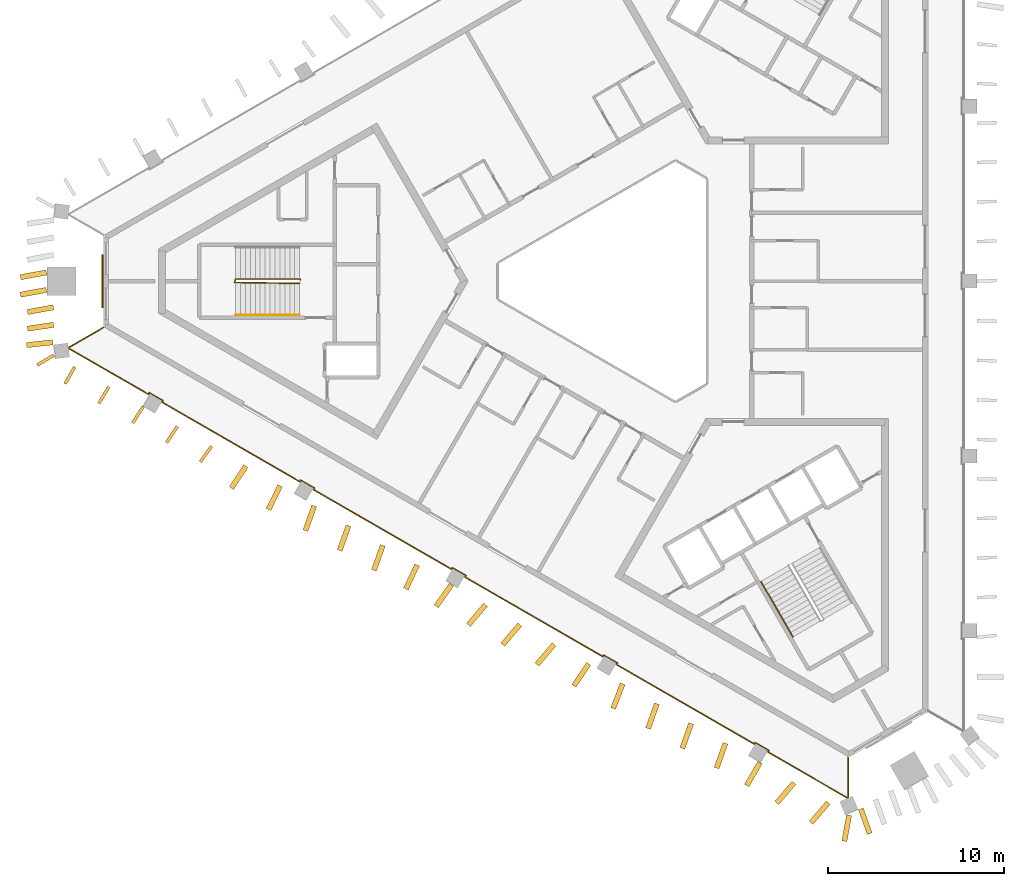
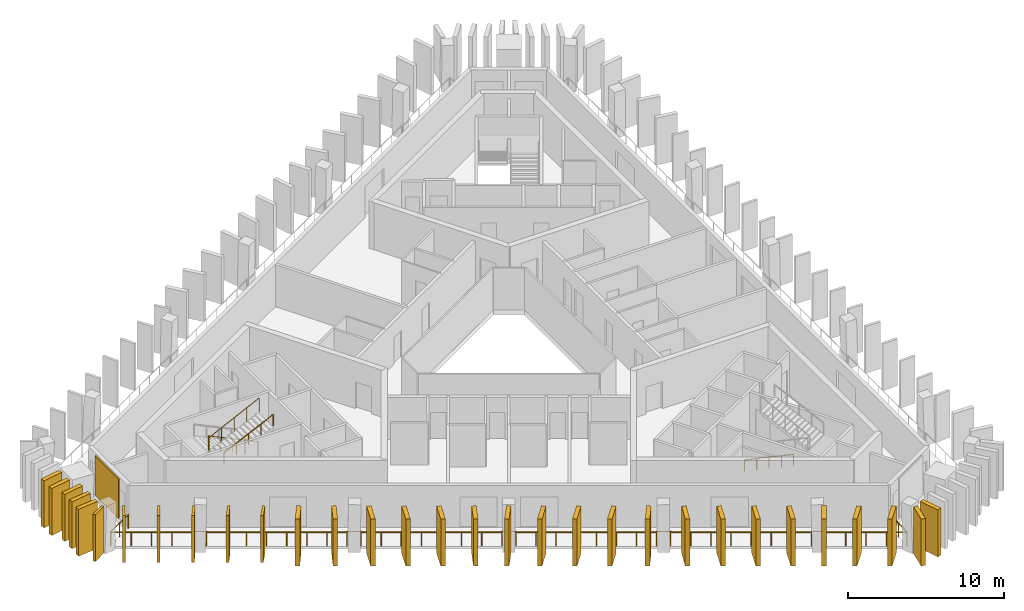
# One storey, part 7 of 10: 31 shading devices, 4 railings, 1 covering.
"""IFC4 building model written with IfcOpenShell, lengths in metres."""

from ifc_helpers import new_model, si_unit, direction, frame, frame_2d, origin, origin_2d, place, context, subcontext, project, spatial, rectangle, circle, extrude, material, layer, layer_set, type_object, element, save


model = new_model("IFC4")

# Units and contexts
model_context = context("Model", 3, precision=1e-05, world=origin(), true_north=direction((0.0, 1.0)))
body_context = subcontext(model_context, "Body", "Model", "MODEL_VIEW")
ifc_project = project(units=[si_unit("LENGTHUNIT", "METRE"), si_unit("AREAUNIT", "SQUARE_METRE"), si_unit("VOLUMEUNIT", "CUBIC_METRE"), si_unit("PLANEANGLEUNIT", "RADIAN"), si_unit("MASSUNIT", "GRAM", prefix="KILO")], contexts=[model_context])

# Site, building, storey
site_placement = place(None, origin())
site = spatial("IfcSite", under=ifc_project, at=site_placement, CompositionType="ELEMENT")
building_placement = place(site_placement, origin())
building = spatial("IfcBuilding", under=site, at=building_placement, Name="Jabali Bay Hotel Tower and Convention Centre", CompositionType="ELEMENT")
storey_placement = place(building_placement, frame((0.0, 0.0, 255.300048828125)))
storey = spatial("IfcBuildingStorey", under=building, at=storey_placement, Name="L62", CompositionType="ELEMENT", Elevation=255.300048828125)

# Railing
ifc_material_1 = material(Name="Glass", Category="glass")
railing_type_1 = type_object("IfcRailingType", Name="Loggia glass guard 1100", PredefinedType="BALUSTRADE", material=ifc_material_1)
railing_1_placement = place(storey_placement, frame((87.582763671875, 52.930419921875, 0.0)))
element("IfcRailing", 1, at=railing_1_placement, inside=storey, type_object=railing_type_1, Name="Loggia glass guard L62", PredefinedType="BALUSTRADE", context=body_context, shape_type="SweptSolid", body=[
    extrude(circle(Radius=0.02490234375, at=origin_2d()), frame((0.0, 0.0, 1.0751953125), z_axis=(0.0, -1.0, 0.0), x_axis=(0.991444861374, 0.0, 0.13052619222)), (0.0, 0.0, 1.0), 2.274658203125),
    extrude(circle(Radius=0.02490234375, at=origin_2d()), frame((0.0, -2.274658203125, 1.0751953125), z_axis=(-0.920154635629, -0.391555164097, 0.0), x_axis=(0.388205355389, -0.912282585163, 0.13052619222)), (0.0, 0.0, 1.0), 0.037353515625),
    extrude(circle(Radius=0.02490234375, at=origin_2d()), frame((-0.034423828125, -2.289306640625, 1.0751953125), z_axis=(-0.866022091585, 0.500005736855, 0.0), x_axis=(-0.495728118462, -0.858613152538, 0.13052619222)), (0.0, 0.0, 1.0), 5.22216796875),
    extrude(circle(Radius=0.02490234375, at=origin_2d()), frame((-4.556884765625, 0.32177734375, 1.0751953125), z_axis=(0.501132629342, 0.865370491644, 0.0), x_axis=(-0.857967127125, 0.496845370228, 0.13052619222)), (0.0, 0.0, 1.0), 0.099853515625),
    extrude(circle(Radius=0.02490234375, at=origin_2d()), frame((-4.5068359375, 0.408203125, 1.0751953125), z_axis=(-0.866081705922, 0.499902469156, 0.0), x_axis=(-0.495625734232, -0.858672256866, 0.13052619222)), (0.0, 0.0, 1.0), 0.900146484375),
    extrude(circle(Radius=0.02490234375, at=origin_2d()), frame((-5.286376953125, 0.858154296875, 1.0751953125), z_axis=(-0.499298623879, -0.866429964967, 0.0), x_axis=(0.859017536507, -0.495027054936, 0.13052619222)), (0.0, 0.0, 1.0), 0.099853515625),
    extrude(circle(Radius=0.02490234375, at=origin_2d()), frame((-5.336181640625, 0.771728515625, 1.0751953125), z_axis=(-0.86603353272, 0.499985920007, 0.0), x_axis=(-0.49570847115, -0.858624495792, 0.13052619222)), (0.0, 0.0, 1.0), 9.037353515625),
    extrude(circle(Radius=0.02490234375, at=origin_2d()), frame((-13.162841796875, 5.290283203125, 1.0751953125), z_axis=(0.500074377092, 0.865982457891, 0.0), x_axis=(-0.858573857916, 0.495796171473, 0.13052619222)), (0.0, 0.0, 1.0), 0.10009765625),
    extrude(circle(Radius=0.02490234375, at=origin_2d()), frame((-13.11279296875, 5.376953125, 1.0751953125), z_axis=(-0.866081705922, 0.499902469156, 0.0), x_axis=(-0.495625734232, -0.858672256866, 0.13052619222)), (0.0, 0.0, 1.0), 0.900146484375),
    extrude(circle(Radius=0.02490234375, at=origin_2d()), frame((-13.892333984375, 5.826904296875, 1.0751953125), z_axis=(-0.4982416694, -0.867038199201, 0.0), x_axis=(0.859620567213, -0.493979142849, 0.13052619222)), (0.0, 0.0, 1.0), 0.099853515625),
    extrude(circle(Radius=0.02490234375, at=origin_2d()), frame((-13.942138671875, 5.740234375, 1.0751953125), z_axis=(-0.866021835202, 0.500006180915, 0.0), x_axis=(-0.495728558723, -0.858612898349, 0.13052619222)), (0.0, 0.0, 1.0), 9.03759765625),
    extrude(circle(Radius=0.02490234375, at=origin_2d()), frame((-21.768798828125, 10.259033203125, 1.0751953125), z_axis=(0.501132629342, 0.865370491644, 0.0), x_axis=(-0.857967127125, 0.496845370228, 0.13052619222)), (0.0, 0.0, 1.0), 0.099853515625),
    extrude(circle(Radius=0.02490234375, at=origin_2d()), frame((-21.71875, 10.345458984375, 1.0751953125), z_axis=(-0.865964261186, 0.500105887137, 0.0), x_axis=(-0.495827411944, -0.858555816886, 0.13052619222)), (0.0, 0.0, 1.0), 0.900146484375),
    extrude(circle(Radius=0.02490234375, at=origin_2d()), frame((-22.498291015625, 10.795654296875, 1.0751953125), z_axis=(-0.4982416694, -0.867038199201, 0.0), x_axis=(0.859620567213, -0.493979142849, 0.13052619222)), (0.0, 0.0, 1.0), 0.099853515625),
    extrude(circle(Radius=0.02490234375, at=origin_2d()), frame((-22.548095703125, 10.708984375, 1.0751953125), z_axis=(-0.86603353272, 0.499985920007, 0.0), x_axis=(-0.49570847115, -0.858624495792, 0.13052619222)), (0.0, 0.0, 1.0), 9.037353515625),
    extrude(circle(Radius=0.02490234375, at=origin_2d()), frame((-30.374755859375, 15.2275390625, 1.0751953125), z_axis=(0.500074377092, 0.865982457891, 0.0), x_axis=(-0.858573857916, 0.495796171473, 0.13052619222)), (0.0, 0.0, 1.0), 0.10009765625),
    extrude(circle(Radius=0.02490234375, at=origin_2d()), frame((-30.32470703125, 15.314208984375, 1.0751953125), z_axis=(-0.866081705922, 0.499902469156, 0.0), x_axis=(-0.495625734232, -0.858672256866, 0.13052619222)), (0.0, 0.0, 1.0), 0.900146484375),
    extrude(circle(Radius=0.02490234375, at=origin_2d()), frame((-31.104248046875, 15.76416015625, 1.0751953125), z_axis=(-0.4982416694, -0.867038199201, 0.0), x_axis=(0.859620567213, -0.493979142849, 0.13052619222)), (0.0, 0.0, 1.0), 0.099853515625),
    extrude(circle(Radius=0.02490234375, at=origin_2d()), frame((-31.154052734375, 15.677490234375, 1.0751953125), z_axis=(-0.866021835202, 0.500006180915, 0.0), x_axis=(-0.495728558723, -0.858612898349, 0.13052619222)), (0.0, 0.0, 1.0), 9.03759765625),
    extrude(circle(Radius=0.02490234375, at=origin_2d()), frame((-38.980712890625, 20.1962890625, 1.0751953125), z_axis=(0.500074377092, 0.865982457891, 0.0), x_axis=(-0.858573857916, 0.495796171473, 0.13052619222)), (0.0, 0.0, 1.0), 0.10009765625),
    extrude(circle(Radius=0.02490234375, at=origin_2d()), frame((-38.9306640625, 20.282958984375, 1.0751953125), z_axis=(-0.866081705922, 0.499902469156, 0.0), x_axis=(-0.495625734232, -0.858672256866, 0.13052619222)), (0.0, 0.0, 1.0), 0.900146484375),
    extrude(circle(Radius=0.02490234375, at=origin_2d()), frame((-39.710205078125, 20.73291015625, 1.0751953125), z_axis=(-0.4982416694, -0.867038199201, 0.0), x_axis=(0.859620567213, -0.493979142849, 0.13052619222)), (0.0, 0.0, 1.0), 0.099853515625),
    extrude(circle(Radius=0.02490234375, at=origin_2d()), frame((-39.760009765625, 20.646240234375, 1.0751953125), z_axis=(-0.866022091585, 0.500005736855, 0.0), x_axis=(-0.495728118462, -0.858613152538, 0.13052619222)), (0.0, 0.0, 1.0), 5.22216796875),
    extrude(circle(Radius=0.02490234375, at=origin_2d()), frame((-44.282470703125, 23.25732421875, 1.0751953125), z_axis=(-0.124034734589, 0.992277876714, 0.0), x_axis=(-0.983788801923, -0.12297360024, 0.13052619222)), (0.0, 0.0, 1.0), 0.037353515625),
    extrude(circle(Radius=0.02490234375, at=origin_2d()), frame((-44.287109375, 23.29443359375, 1.0751953125), z_axis=(0.866008641419, 0.500029032144, 0.0), x_axis=(-0.495751214457, 0.85859981744, 0.13052619222)), (0.0, 0.0, 1.0), 2.274658203125),
    extrude(circle(Radius=0.02001953125, at=origin_2d()), origin(), (0.0, 0.0, 1.0), 1.050048828125),
    extrude(circle(Radius=0.02001953125, at=origin_2d()), frame((0.0, -1.13720703125, 0.0)), (0.0, 0.0, 1.0), 1.050048828125),
    extrude(circle(Radius=0.02001953125, at=origin_2d()), frame((0.0, -2.274658203125, 0.0)), (0.0, 0.0, 1.0), 1.050048828125),
    extrude(circle(Radius=0.02001953125, at=origin_2d()), frame((-0.034423828125, -2.289306640625, 0.0)), (0.0, 0.0, 1.0), 1.050048828125),
    extrude(circle(Radius=0.02001953125, at=origin_2d()), frame((-1.1650390625, -1.636474609375, 0.0)), (0.0, 0.0, 1.0), 1.050048828125),
    extrude(circle(Radius=0.02001953125, at=origin_2d()), frame((-2.295654296875, -0.98388671875, 0.0)), (0.0, 0.0, 1.0), 1.050048828125),
    extrude(circle(Radius=0.02001953125, at=origin_2d()), frame((-3.42626953125, -0.3310546875, 0.0)), (0.0, 0.0, 1.0), 1.050048828125),
    extrude(circle(Radius=0.02001953125, at=origin_2d()), frame((-4.556884765625, 0.32177734375, 0.0)), (0.0, 0.0, 1.0), 1.050048828125),
    extrude(circle(Radius=0.02001953125, at=origin_2d()), frame((-4.5068359375, 0.408203125, 0.0)), (0.0, 0.0, 1.0), 1.050048828125),
    extrude(circle(Radius=0.02001953125, at=origin_2d()), frame((-5.286376953125, 0.858154296875, 0.0)), (0.0, 0.0, 1.0), 1.050048828125),
    extrude(circle(Radius=0.02001953125, at=origin_2d()), frame((-5.336181640625, 0.771728515625, 0.0)), (0.0, 0.0, 1.0), 1.050048828125),
    extrude(circle(Radius=0.02001953125, at=origin_2d()), frame((-6.454345703125, 1.417236328125, 0.0)), (0.0, 0.0, 1.0), 1.050048828125),
    extrude(circle(Radius=0.02001953125, at=origin_2d()), frame((-7.572265625, 2.062744140625, 0.0)), (0.0, 0.0, 1.0), 1.050048828125),
    extrude(circle(Radius=0.02001953125, at=origin_2d()), frame((-8.6904296875, 2.708251953125, 0.0)), (0.0, 0.0, 1.0), 1.050048828125),
    extrude(circle(Radius=0.02001953125, at=origin_2d()), frame((-9.80859375, 3.353759765625, 0.0)), (0.0, 0.0, 1.0), 1.050048828125),
    extrude(circle(Radius=0.02001953125, at=origin_2d()), frame((-10.9267578125, 3.999267578125, 0.0)), (0.0, 0.0, 1.0), 1.050048828125),
    extrude(circle(Radius=0.02001953125, at=origin_2d()), frame((-12.044677734375, 4.644775390625, 0.0)), (0.0, 0.0, 1.0), 1.050048828125),
    extrude(circle(Radius=0.02001953125, at=origin_2d()), frame((-13.162841796875, 5.290283203125, 0.0)), (0.0, 0.0, 1.0), 1.050048828125),
    extrude(circle(Radius=0.02001953125, at=origin_2d()), frame((-13.11279296875, 5.376953125, 0.0)), (0.0, 0.0, 1.0), 1.050048828125),
    extrude(circle(Radius=0.02001953125, at=origin_2d()), frame((-13.892333984375, 5.826904296875, 0.0)), (0.0, 0.0, 1.0), 1.050048828125),
    extrude(circle(Radius=0.02001953125, at=origin_2d()), frame((-13.942138671875, 5.740234375, 0.0)), (0.0, 0.0, 1.0), 1.050048828125),
    extrude(circle(Radius=0.02001953125, at=origin_2d()), frame((-15.060302734375, 6.3857421875, 0.0)), (0.0, 0.0, 1.0), 1.050048828125),
    extrude(circle(Radius=0.02001953125, at=origin_2d()), frame((-16.17822265625, 7.03125, 0.0)), (0.0, 0.0, 1.0), 1.050048828125),
    extrude(circle(Radius=0.02001953125, at=origin_2d()), frame((-17.29638671875, 7.6767578125, 0.0)), (0.0, 0.0, 1.0), 1.050048828125),
    extrude(circle(Radius=0.02001953125, at=origin_2d()), frame((-18.41455078125, 8.322509765625, 0.0)), (0.0, 0.0, 1.0), 1.050048828125),
    extrude(circle(Radius=0.02001953125, at=origin_2d()), frame((-19.53271484375, 8.968017578125, 0.0)), (0.0, 0.0, 1.0), 1.050048828125),
    extrude(circle(Radius=0.02001953125, at=origin_2d()), frame((-20.650634765625, 9.613525390625, 0.0)), (0.0, 0.0, 1.0), 1.050048828125),
    extrude(circle(Radius=0.02001953125, at=origin_2d()), frame((-21.768798828125, 10.259033203125, 0.0)), (0.0, 0.0, 1.0), 1.050048828125),
    extrude(circle(Radius=0.02001953125, at=origin_2d()), frame((-21.71875, 10.345458984375, 0.0)), (0.0, 0.0, 1.0), 1.050048828125),
    extrude(circle(Radius=0.02001953125, at=origin_2d()), frame((-22.498291015625, 10.795654296875, 0.0)), (0.0, 0.0, 1.0), 1.050048828125),
    extrude(circle(Radius=0.02001953125, at=origin_2d()), frame((-22.548095703125, 10.708984375, 0.0)), (0.0, 0.0, 1.0), 1.050048828125),
    extrude(circle(Radius=0.02001953125, at=origin_2d()), frame((-23.666259765625, 11.3544921875, 0.0)), (0.0, 0.0, 1.0), 1.050048828125),
    extrude(circle(Radius=0.02001953125, at=origin_2d()), frame((-24.7841796875, 12.0, 0.0)), (0.0, 0.0, 1.0), 1.050048828125),
    extrude(circle(Radius=0.02001953125, at=origin_2d()), frame((-25.90234375, 12.6455078125, 0.0)), (0.0, 0.0, 1.0), 1.050048828125),
    extrude(circle(Radius=0.02001953125, at=origin_2d()), frame((-27.0205078125, 13.291015625, 0.0)), (0.0, 0.0, 1.0), 1.050048828125),
    extrude(circle(Radius=0.02001953125, at=origin_2d()), frame((-28.138671875, 13.9365234375, 0.0)), (0.0, 0.0, 1.0), 1.050048828125),
    extrude(circle(Radius=0.02001953125, at=origin_2d()), frame((-29.256591796875, 14.58203125, 0.0)), (0.0, 0.0, 1.0), 1.050048828125),
    extrude(circle(Radius=0.02001953125, at=origin_2d()), frame((-30.374755859375, 15.2275390625, 0.0)), (0.0, 0.0, 1.0), 1.050048828125),
    extrude(circle(Radius=0.02001953125, at=origin_2d()), frame((-30.32470703125, 15.314208984375, 0.0)), (0.0, 0.0, 1.0), 1.050048828125),
    extrude(circle(Radius=0.02001953125, at=origin_2d()), frame((-31.104248046875, 15.76416015625, 0.0)), (0.0, 0.0, 1.0), 1.050048828125),
    extrude(circle(Radius=0.02001953125, at=origin_2d()), frame((-31.154052734375, 15.677490234375, 0.0)), (0.0, 0.0, 1.0), 1.050048828125),
    extrude(circle(Radius=0.02001953125, at=origin_2d()), frame((-32.272216796875, 16.322998046875, 0.0)), (0.0, 0.0, 1.0), 1.050048828125),
    extrude(circle(Radius=0.02001953125, at=origin_2d()), frame((-33.39013671875, 16.968505859375, 0.0)), (0.0, 0.0, 1.0), 1.050048828125),
    extrude(circle(Radius=0.02001953125, at=origin_2d()), frame((-34.50830078125, 17.614013671875, 0.0)), (0.0, 0.0, 1.0), 1.050048828125),
    extrude(circle(Radius=0.02001953125, at=origin_2d()), frame((-35.62646484375, 18.259765625, 0.0)), (0.0, 0.0, 1.0), 1.050048828125),
    extrude(circle(Radius=0.02001953125, at=origin_2d()), frame((-36.74462890625, 18.9052734375, 0.0)), (0.0, 0.0, 1.0), 1.050048828125),
    extrude(circle(Radius=0.02001953125, at=origin_2d()), frame((-37.862548828125, 19.55078125, 0.0)), (0.0, 0.0, 1.0), 1.050048828125),
    extrude(circle(Radius=0.02001953125, at=origin_2d()), frame((-38.980712890625, 20.1962890625, 0.0)), (0.0, 0.0, 1.0), 1.050048828125),
    extrude(circle(Radius=0.02001953125, at=origin_2d()), frame((-38.9306640625, 20.282958984375, 0.0)), (0.0, 0.0, 1.0), 1.050048828125),
    extrude(circle(Radius=0.02001953125, at=origin_2d()), frame((-39.710205078125, 20.73291015625, 0.0)), (0.0, 0.0, 1.0), 1.050048828125),
    extrude(circle(Radius=0.02001953125, at=origin_2d()), frame((-39.760009765625, 20.646240234375, 0.0)), (0.0, 0.0, 1.0), 1.050048828125),
    extrude(circle(Radius=0.02001953125, at=origin_2d()), frame((-40.890625, 21.299072265625, 0.0)), (0.0, 0.0, 1.0), 1.050048828125),
    extrude(circle(Radius=0.02001953125, at=origin_2d()), frame((-42.021240234375, 21.95166015625, 0.0)), (0.0, 0.0, 1.0), 1.050048828125),
    extrude(circle(Radius=0.02001953125, at=origin_2d()), frame((-43.15185546875, 22.6044921875, 0.0)), (0.0, 0.0, 1.0), 1.050048828125),
    extrude(circle(Radius=0.02001953125, at=origin_2d()), frame((-44.282470703125, 23.25732421875, 0.0)), (0.0, 0.0, 1.0), 1.050048828125),
    extrude(circle(Radius=0.02001953125, at=origin_2d()), frame((-44.287109375, 23.29443359375, 0.0)), (0.0, 0.0, 1.0), 1.050048828125),
    extrude(circle(Radius=0.02001953125, at=origin_2d()), frame((-43.30224609375, 23.86328125, 0.0)), (0.0, 0.0, 1.0), 1.050048828125),
    extrude(circle(Radius=0.02001953125, at=origin_2d()), frame((-42.317138671875, 24.431884765625, 0.0)), (0.0, 0.0, 1.0), 1.050048828125),
])

# Shading devices
ifc_material_2 = material(Name="Precast concrete C60", Category="concrete")
ifc_layer_1 = layer(ifc_material_2, 0.179931640625)
ifc_layer_set_1 = layer_set([ifc_layer_1], Name="Precast concrete C60")
shading_device_type_1 = type_object("IfcShadingDeviceType", Name="Precast fin 3680 x 1100", PredefinedType="USERDEFINED", material=ifc_layer_set_1)
for number, where, z_axis, x_axis, name in (
    (2, (43.638671875, 75.125732421875, 0.010009765625), (0.0, 0.0, 1.0), (-0.494512685492, -0.869170411305, 0.0), "Fin L62 062"),
    (3, (45.58447265625, 74.0009765625, 0.010009765625), (0.0, 0.0, 1.0), (-0.515637794697, -0.856806667038, 0.0), "Fin L62 063"),
):
    element("IfcShadingDevice", number, at=place(storey_placement, frame(where, z_axis=z_axis, x_axis=x_axis)), inside=storey, type_object=shading_device_type_1, Name=name, ObjectType="FIN", PredefinedType="USERDEFINED", context=body_context, shape_type="SweptSolid", body=[
        extrude(rectangle(XDim=1.099853515625, YDim=0.179931640625, at=frame_2d((0.5498046875, 0.0))), origin(), (0.0, 0.0, 1.0), 3.679931640625),
    ])
for number, where, z_axis, x_axis, name in (
    (4, (47.52978515625, 72.875244140625, 0.010009765625), (0.0, 0.0, 1.0), (-0.537478442018, -0.843277489541, 0.0), "Fin L62 064"),
    (5, (49.47509765625, 71.74951171875, 0.010009765625), (0.0, 0.0, 1.0), (-0.558382243094, -0.829583793596, 0.0), "Fin L62 065"),
):
    element("IfcShadingDevice", number, at=place(storey_placement, frame(where, z_axis=z_axis, x_axis=x_axis)), inside=storey, type_object=shading_device_type_1, Name=name, ObjectType="FIN", PredefinedType="USERDEFINED", context=body_context, shape_type="SweptSolid", body=[
        extrude(rectangle(XDim=1.10009765625, YDim=0.179931640625, at=frame_2d((0.550048828125, 0.0))), origin(), (0.0, 0.0, 1.0), 3.679931640625),
    ])
shading_device_1_placement = place(storey_placement, frame((51.419677734375, 70.622802734375, 0.010009765625), z_axis=(0.0, 0.0, 1.0), x_axis=(-0.588646717653, -0.808390401845, 0.0)))
element("IfcShadingDevice", 6, at=shading_device_1_placement, inside=storey, type_object=shading_device_type_1, Name="Fin L62 066", ObjectType="FIN", PredefinedType="USERDEFINED", context=body_context, shape_type="SweptSolid", body=[
    extrude(rectangle(XDim=1.099853515625, YDim=0.179931640625, at=frame_2d((0.5498046875, 0.0))), origin(), (0.0, 0.0, 1.0), 3.679931640625),
])
shading_device_2_placement = place(storey_placement, frame((42.455322265625, 75.797607421875, 0.010009765625), z_axis=(0.0, 0.0, 1.0), x_axis=(-0.85712063066, -0.515115738934, 0.0)))
element("IfcShadingDevice", 7, at=shading_device_2_placement, inside=storey, type_object=shading_device_type_1, Name="Fin L62 097", ObjectType="FIN", PredefinedType="USERDEFINED", context=body_context, shape_type="SweptSolid", body=[
    extrude(rectangle(XDim=1.10009765625, YDim=0.179931640625, at=frame_2d((0.550048828125, 0.0))), origin(), (0.0, 0.0, 1.0), 3.679931640625),
])
ifc_layer_2 = layer(ifc_material_2, 0.300048828125)
ifc_layer_set_2 = layer_set([ifc_layer_2], Name="Precast concrete C60")
shading_device_type_2 = type_object("IfcShadingDeviceType", Name="Precast fin 3680 x 1500", PredefinedType="USERDEFINED", material=ifc_layer_set_2)
for number, where, z_axis, x_axis, name in (
    (8, (42.0390625, 80.49560546875, 0.010009765625), (0.0, 0.0, 1.0), (-0.983545395653, -0.180661159883, 0.0), "Fin L62 057"),
    (9, (42.0390625, 79.50439453125, 0.010009765625), (0.0, 0.0, 1.0), (-0.98351646372, -0.180818598576, 0.0), "Fin L62 058"),
    (10, (42.439208984375, 78.512939453125, 0.010009765625), (0.0, 0.0, 1.0), (-0.984139595991, -0.17739575982, 0.0), "Fin L62 059"),
    (11, (42.443603515625, 77.521484375, 0.010009765625), (0.0, 0.0, 1.0), (-0.989068471154, -0.147456974636, 0.0), "Fin L62 060"),
    (12, (42.404052734375, 76.530029296875, 0.010009765625), (0.0, 0.0, 1.0), (-0.994142942553, -0.108073168608, 0.0), "Fin L62 061"),
):
    element("IfcShadingDevice", number, at=place(storey_placement, frame(where, z_axis=z_axis, x_axis=x_axis)), inside=storey, type_object=shading_device_type_2, Name=name, ObjectType="FIN", PredefinedType="USERDEFINED", context=body_context, shape_type="SweptSolid", body=[
        extrude(rectangle(XDim=1.5, YDim=0.300048828125, at=frame_2d((0.75, 0.0))), origin(), (0.0, 0.0, 1.0), 3.679931640625),
    ])
shading_device_3_placement = place(storey_placement, frame((53.36669921875, 69.5, 0.010009765625), z_axis=(0.0, 0.0, 1.0), x_axis=(-0.548752414391, -0.835984920737, 0.0)))
element("IfcShadingDevice", 13, at=shading_device_3_placement, inside=storey, type_object=shading_device_type_2, Name="Fin L62 067", ObjectType="FIN", PredefinedType="USERDEFINED", context=body_context, shape_type="SweptSolid", body=[
    extrude(rectangle(XDim=1.500244140625, YDim=0.300048828125, at=frame_2d((0.75, 0.0))), origin(), (0.0, 0.0, 1.0), 3.679931640625),
])
shading_device_4_placement = place(storey_placement, frame((55.312255859375, 68.375, 0.010009765625), z_axis=(0.0, 0.0, 1.0), x_axis=(-0.44160541195, -0.897209373634, 0.0)))
element("IfcShadingDevice", 14, at=shading_device_4_placement, inside=storey, type_object=shading_device_type_2, Name="Fin L62 068", ObjectType="FIN", PredefinedType="USERDEFINED", context=body_context, shape_type="SweptSolid", body=[
    extrude(rectangle(XDim=1.499755859375, YDim=0.300048828125, at=frame_2d((0.75, 0.0))), origin(), (0.0, 0.0, 1.0), 3.679931640625),
])
shading_device_5_placement = place(storey_placement, frame((57.250244140625, 67.236572265625, 0.010009765625), z_axis=(0.0, 0.0, 1.0), x_axis=(-0.336274530467, -0.941764004493, 0.0)))
element("IfcShadingDevice", 15, at=shading_device_5_placement, inside=storey, type_object=shading_device_type_2, Name="Fin L62 069", ObjectType="FIN", PredefinedType="USERDEFINED", context=body_context, shape_type="SweptSolid", body=[
    extrude(rectangle(XDim=1.5, YDim=0.300048828125, at=frame_2d((0.75, 0.0))), origin(), (0.0, 0.0, 1.0), 3.679931640625),
])
shading_device_6_placement = place(storey_placement, frame((59.196533203125, 66.11279296875, 0.010009765625), z_axis=(0.0, 0.0, 1.0), x_axis=(-0.33539810715, -0.942076488254, 0.0)))
element("IfcShadingDevice", 16, at=shading_device_6_placement, inside=storey, type_object=shading_device_type_2, Name="Fin L62 070", ObjectType="FIN", PredefinedType="USERDEFINED", context=body_context, shape_type="SweptSolid", body=[
    extrude(rectangle(XDim=1.500244140625, YDim=0.300048828125, at=frame_2d((0.75, 0.0))), origin(), (0.0, 0.0, 1.0), 3.679931640625),
])
for number, where, z_axis, x_axis, name in (
    (17, (61.142822265625, 64.989013671875, 0.010009765625), (0.0, 0.0, 1.0), (-0.335109201498, -0.942179294546, 0.0), "Fin L62 071"),
    (18, (63.0966796875, 63.8779296875, 0.010009765625), (0.0, 0.0, 1.0), (-0.427050662699, -0.904227698917, 0.0), "Fin L62 072"),
    (19, (65.04248046875, 62.753173828125, 0.010009765625), (0.0, 0.0, 1.0), (-0.576517036585, -0.817085128079, 0.0), "Fin L62 073"),
    (20, (66.982177734375, 61.61767578125, 0.010009765625), (0.0, 0.0, 1.0), (-0.648281291341, -0.761400924151, 0.0), "Fin L62 074"),
    (21, (68.928466796875, 60.493896484375, 0.010009765625), (0.0, 0.0, 1.0), (-0.648281291341, -0.761400924151, 0.0), "Fin L62 075"),
):
    element("IfcShadingDevice", number, at=place(storey_placement, frame(where, z_axis=z_axis, x_axis=x_axis)), inside=storey, type_object=shading_device_type_2, Name=name, ObjectType="FIN", PredefinedType="USERDEFINED", context=body_context, shape_type="SweptSolid", body=[
        extrude(rectangle(XDim=1.5, YDim=0.300048828125, at=frame_2d((0.75, 0.0))), origin(), (0.0, 0.0, 1.0), 3.679931640625),
    ])
shading_device_7_placement = place(storey_placement, frame((70.875, 59.3701171875, 0.010009765625), z_axis=(0.0, 0.0, 1.0), x_axis=(-0.64837563468, -0.761320587107, 0.0)))
element("IfcShadingDevice", 22, at=shading_device_7_placement, inside=storey, type_object=shading_device_type_2, Name="Fin L62 076", ObjectType="FIN", PredefinedType="USERDEFINED", context=body_context, shape_type="SweptSolid", body=[
    extrude(rectangle(XDim=1.500244140625, YDim=0.300048828125, at=frame_2d((0.75, 0.0))), origin(), (0.0, 0.0, 1.0), 3.679931640625),
])
for number, where, z_axis, x_axis, name in (
    (23, (72.830078125, 58.26171875, 0.010009765625), (0.0, 0.0, 1.0), (-0.553046497904, -0.833150389279, 0.0), "Fin L62 077"),
    (24, (74.769775390625, 57.126220703125, 0.010009765625), (0.0, 0.0, 1.0), (-0.360984970728, -0.932571633125, 0.0), "Fin L62 078"),
):
    element("IfcShadingDevice", number, at=place(storey_placement, frame(where, z_axis=z_axis, x_axis=x_axis)), inside=storey, type_object=shading_device_type_2, Name=name, ObjectType="FIN", PredefinedType="USERDEFINED", context=body_context, shape_type="SweptSolid", body=[
        extrude(rectangle(XDim=1.5, YDim=0.300048828125, at=frame_2d((0.75, 0.0))), origin(), (0.0, 0.0, 1.0), 3.679931640625),
    ])
for number, where, z_axis, x_axis, name in (
    (25, (76.714111328125, 55.998779296875, 0.010009765625), (0.0, 0.0, 1.0), (-0.335160595484, -0.942161013434, 0.0), "Fin L62 079"),
    (26, (78.660400390625, 54.875, 0.010009765625), (0.0, 0.0, 1.0), (-0.335160595484, -0.942161013434, 0.0), "Fin L62 080"),
):
    element("IfcShadingDevice", number, at=place(storey_placement, frame(where, z_axis=z_axis, x_axis=x_axis)), inside=storey, type_object=shading_device_type_2, Name=name, ObjectType="FIN", PredefinedType="USERDEFINED", context=body_context, shape_type="SweptSolid", body=[
        extrude(rectangle(XDim=1.499755859375, YDim=0.300048828125, at=frame_2d((0.75, 0.0))), origin(), (0.0, 0.0, 1.0), 3.679931640625),
    ])
shading_device_8_placement = place(storey_placement, frame((80.60693359375, 53.75146484375, 0.010009765625), z_axis=(0.0, 0.0, 1.0), x_axis=(-0.335253666146, -0.94212789967, 0.0)))
element("IfcShadingDevice", 27, at=shading_device_8_placement, inside=storey, type_object=shading_device_type_2, Name="Fin L62 081", ObjectType="FIN", PredefinedType="USERDEFINED", context=body_context, shape_type="SweptSolid", body=[
    extrude(rectangle(XDim=1.500244140625, YDim=0.300048828125, at=frame_2d((0.75, 0.0))), origin(), (0.0, 0.0, 1.0), 3.679931640625),
])
for number, where, z_axis, x_axis, name in (
    (28, (82.56689453125, 52.651123046875, 0.010009765625), (0.0, 0.0, 1.0), (-0.50112608761, -0.865374279903, 0.0), "Fin L62 082"),
    (29, (84.499755859375, 51.50390625, 0.010009765625), (0.0, 0.0, 1.0), (-0.648281291341, -0.761400924151, 0.0), "Fin L62 083"),
    (30, (86.446044921875, 50.380126953125, 0.010009765625), (0.0, 0.0, 1.0), (-0.648281291341, -0.761400924151, 0.0), "Fin L62 084"),
    (31, (88.298095703125, 50.027099609375, 0.010009765625), (0.0, 0.0, 1.0), (0.335305076677, -0.942109603791, 0.0), "Fin L62 085"),
    (32, (87.6328125, 49.664306640625, 0.010009765625), (0.0, 0.0, 1.0), (-0.180661159883, -0.983545395653, 0.0), "Fin L62 098"),
):
    element("IfcShadingDevice", number, at=place(storey_placement, frame(where, z_axis=z_axis, x_axis=x_axis)), inside=storey, type_object=shading_device_type_2, Name=name, ObjectType="FIN", PredefinedType="USERDEFINED", context=body_context, shape_type="SweptSolid", body=[
        extrude(rectangle(XDim=1.5, YDim=0.300048828125, at=frame_2d((0.75, 0.0))), origin(), (0.0, 0.0, 1.0), 3.679931640625),
    ])

# Covering
ifc_material_3 = material(Name="Precast concrete C40/50", Category="concrete")
ifc_layer_3 = layer(ifc_material_3, 0.080078125)
ifc_layer_set_3 = layer_set([ifc_layer_3], Name="Precast concrete C40/50")
covering_type = type_object("IfcCoveringType", Name="Relief panel 3000 x 3100", PredefinedType="CLADDING", material=ifc_layer_set_3)
covering_placement = place(storey_placement, frame((45.225830078125, 80.0, 0.099853515625), z_axis=(0.0, 0.0, 1.0), x_axis=(0.0, 1.0, 0.0)))
element("IfcCovering", 33, at=covering_placement, inside=storey, type_object=covering_type, Name="Relief panel L62", PredefinedType="CLADDING", context=body_context, shape_type="SweptSolid", body=[
    extrude(rectangle(XDim=3.0, YDim=0.080078125, at=origin_2d()), origin(), (0.0, 0.0, 1.0), 3.10009765625),
])

# Railings
ifc_material_4 = material(Name="Steel Q355B", Category="steel")
railing_type_2 = type_object("IfcRailingType", Name="Stair guard 1100", PredefinedType="GUARDRAIL", material=ifc_material_4)
railing_2_placement = place(storey_placement, frame((56.469970703125, 80.074951171875, 0.0)))
element("IfcRailing", 34, at=railing_2_placement, inside=storey, type_object=railing_type_2, Name="L62 ST1 stair guard 1", PredefinedType="GUARDRAIL", context=body_context, shape_type="SweptSolid", body=[
    extrude(circle(Radius=0.02392578125, at=origin_2d()), frame((0.0, 0.0, 1.076171875), z_axis=(-0.333993628408, 0.333993628408, 0.881417331555), x_axis=(-0.707106781187, -0.707106781187, 0.0)), (0.0, 0.0, 1.0), 0.14990234375),
    extrude(circle(Radius=0.02392578125, at=origin_2d()), frame((-0.050048828125, 0.050048828125, 1.2080078125), z_axis=(-0.904350763662, 0.0, 0.426789990819), x_axis=(0.0, -1.0, 0.0)), (0.0, 0.0, 1.0), 4.02490234375),
    extrude(circle(Radius=0.02392578125, at=origin_2d()), frame((-3.68994140625, 0.050048828125, 2.92578125), z_axis=(-0.242814311512, -0.970072785993, 0.0), x_axis=(0.970072785993, -0.242814311512, 0.0)), (0.0, 0.0, 1.0), 0.2060546875),
    extrude(circle(Radius=0.02392578125, at=origin_2d()), frame((-3.739990234375, -0.14990234375, 2.92578125), z_axis=(0.893864111827, -0.012124000458, 0.448174026692), x_axis=(0.013562335953, 0.999908027292, 0.0)), (0.0, 0.0, 1.0), 4.128173828125),
    extrude(circle(Radius=0.02099609375, at=origin_2d()), origin(), (0.0, 0.0, 1.0), 1.052001953125),
    extrude(circle(Radius=0.02099609375, at=origin_2d()), frame((-0.050048828125, 0.050048828125, 0.132080078125)), (0.0, 0.0, 1.0), 1.052001953125),
    extrude(circle(Radius=0.02099609375, at=origin_2d()), frame((-0.9599609375, 0.050048828125, 0.5615234375)), (0.0, 0.0, 1.0), 1.052001953125),
    extrude(circle(Radius=0.02099609375, at=origin_2d()), frame((-1.8701171875, 0.050048828125, 0.990966796875)), (0.0, 0.0, 1.0), 1.052001953125),
    extrude(circle(Radius=0.02099609375, at=origin_2d()), frame((-2.780029296875, 0.050048828125, 1.42041015625)), (0.0, 0.0, 1.0), 1.052001953125),
    extrude(circle(Radius=0.02099609375, at=origin_2d()), frame((-3.68994140625, 0.050048828125, 1.849853515625)), (0.0, 0.0, 1.0), 1.052001953125),
    extrude(circle(Radius=0.02099609375, at=origin_2d()), frame((-3.739990234375, -0.14990234375, 1.849853515625)), (0.0, 0.0, 1.0), 1.052001953125),
    extrude(circle(Radius=0.02099609375, at=origin_2d()), frame((-2.8173828125, -0.162353515625, 2.3125)), (0.0, 0.0, 1.0), 1.052001953125),
    extrude(circle(Radius=0.02099609375, at=origin_2d()), frame((-1.89501953125, -0.1748046875, 2.77490234375)), (0.0, 0.0, 1.0), 1.052001953125),
    extrude(circle(Radius=0.02099609375, at=origin_2d()), frame((-0.97265625, -0.1875, 3.2373046875)), (0.0, 0.0, 1.0), 1.052001953125),
    extrude(circle(Radius=0.02099609375, at=origin_2d()), frame((-0.050048828125, -0.199951171875, 3.699951171875)), (0.0, 0.0, 1.0), 1.052001953125),
])
railing_type_3 = type_object("IfcRailingType", Name="Stair handrail 900", PredefinedType="HANDRAIL", material=ifc_material_4)
railing_3_placement = place(storey_placement, frame((52.780029296875, 78.074951171875, 1.982177734375)))
element("IfcRailing", 35, at=railing_3_placement, inside=storey, type_object=railing_type_3, Name="L62 ST1 stair handrail 2", PredefinedType="HANDRAIL", context=body_context, shape_type="SweptSolid", body=[
    extrude(circle(Radius=0.02392578125, at=origin_2d()), frame((0.0, 0.0, 0.8759765625), z_axis=(0.904350763662, 0.0, 0.426789990819), x_axis=(0.0, 1.0, 0.0)), (0.0, 0.0, 1.0), 4.02490234375),
    extrude(circle(Radius=0.02099609375, at=origin_2d()), origin(), (0.0, 0.0, 1.0), 0.851806640625),
    extrude(circle(Radius=0.02099609375, at=origin_2d()), frame((0.909912109375, 0.0, 0.429443359375)), (0.0, 0.0, 1.0), 0.851806640625),
    extrude(circle(Radius=0.02099609375, at=origin_2d()), frame((1.81982421875, 0.0, 0.85888671875)), (0.0, 0.0, 1.0), 0.851806640625),
    extrude(circle(Radius=0.02099609375, at=origin_2d()), frame((2.72998046875, 0.0, 1.288330078125)), (0.0, 0.0, 1.0), 0.851806640625),
    extrude(circle(Radius=0.02099609375, at=origin_2d()), frame((3.639892578125, 0.0, 1.7177734375)), (0.0, 0.0, 1.0), 0.851806640625),
])
railing_4_placement = place(storey_placement, frame((82.622802734375, 62.94677734375, 0.132080078125)))
element("IfcRailing", 36, at=railing_4_placement, inside=storey, type_object=railing_type_3, Name="L62 ST3 stair handrail 1", PredefinedType="HANDRAIL", context=body_context, shape_type="SweptSolid", body=[
    extrude(circle(Radius=0.02392578125, at=origin_2d()), frame((0.0, 0.0, 0.8759765625), z_axis=(0.452190331055, -0.783190014029, 0.426775475427), x_axis=(0.866018046521, 0.500012742938, 0.0)), (0.0, 0.0, 1.0), 4.02490234375),
    extrude(circle(Radius=0.02099609375, at=origin_2d()), origin(), (0.0, 0.0, 1.0), 0.851806640625),
    extrude(circle(Radius=0.02099609375, at=origin_2d()), frame((0.455078125, -0.7880859375, 0.429443359375)), (0.0, 0.0, 1.0), 0.851806640625),
    extrude(circle(Radius=0.02099609375, at=origin_2d()), frame((0.91015625, -1.576171875, 0.85888671875)), (0.0, 0.0, 1.0), 0.851806640625),
    extrude(circle(Radius=0.02099609375, at=origin_2d()), frame((1.364990234375, -2.3642578125, 1.288330078125)), (0.0, 0.0, 1.0), 0.851806640625),
    extrude(circle(Radius=0.02099609375, at=origin_2d()), frame((1.820068359375, -3.15234375, 1.7177734375)), (0.0, 0.0, 1.0), 0.851806640625),
])

save(model, "model.ifc")
